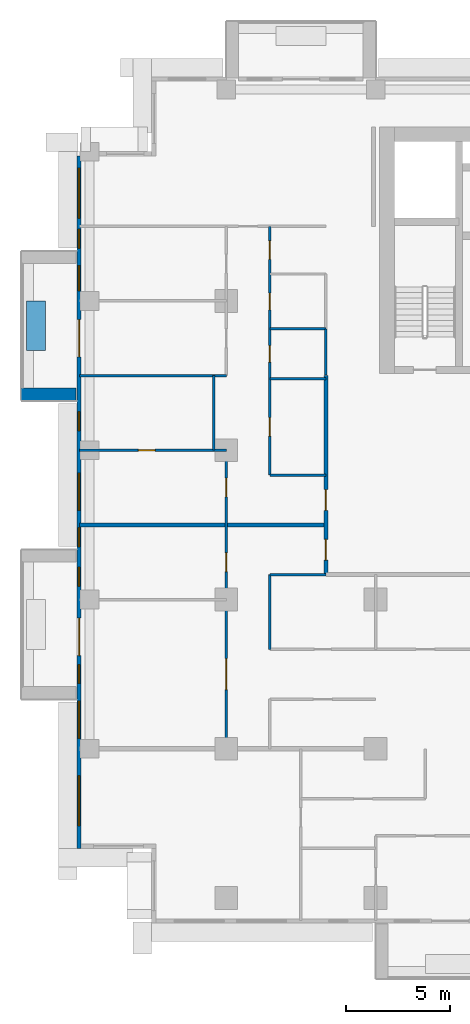
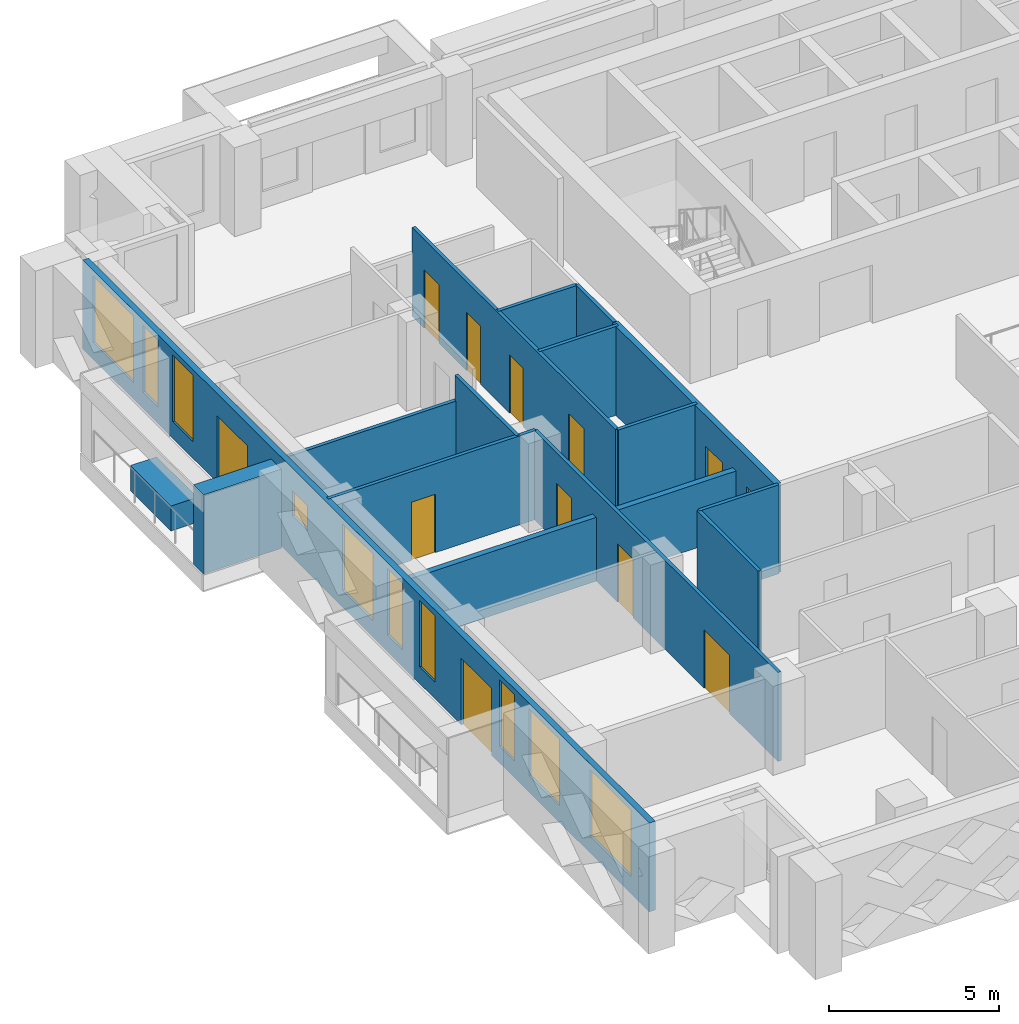
# One storey, part 7 of 20: 16 walls, 12 doors, 10 windows, 22 openings.
"""IFC4 building model written with IfcOpenShell, lengths in metres."""

from ifc_helpers import new_model, si_unit, direction, frame, frame_2d, origin, place, context, subcontext, project, spatial, rectangle, extrude, material, layer, layer_set, type_object, element, fill, save


model = new_model("IFC4")

# Units and contexts
model_context = context("Model", 3, precision=1e-05, world=origin(), true_north=direction((0.0, 1.0)))
body_context = subcontext(model_context, "Body", "Model", "MODEL_VIEW")
ifc_project = project(units=[si_unit("LENGTHUNIT", "METRE"), si_unit("AREAUNIT", "SQUARE_METRE"), si_unit("VOLUMEUNIT", "CUBIC_METRE"), si_unit("PLANEANGLEUNIT", "RADIAN"), si_unit("MASSUNIT", "GRAM", prefix="KILO")], contexts=[model_context])

# Site, building, storey
site_placement = place(None, origin())
site = spatial("IfcSite", under=ifc_project, at=site_placement, CompositionType="ELEMENT")
building_placement = place(site_placement, origin())
building = spatial("IfcBuilding", under=site, at=building_placement, Name="Saffron Iwan Residences", CompositionType="ELEMENT")
storey_placement = place(building_placement, frame((0.0, 0.0, 127.0)))
storey = spatial("IfcBuildingStorey", under=building, at=storey_placement, Name="L33", CompositionType="ELEMENT", Elevation=127.0)

# Walls
ifc_material_1 = material(Name="Concrete C50/60 white painted", Category="concrete")
ifc_layer_1 = layer(ifc_material_1, 0.60009765625)
ifc_layer_set_1 = layer_set([ifc_layer_1], Name="Concrete C50/60 white painted")
wall_type_1 = type_object("IfcWallType", Name="BALCONY FIN 600", PredefinedType="SOLIDWALL", material=ifc_layer_set_1)
wall_1_placement = place(storey_placement, frame((14.35009765625, 65.10009765625, 0.0), z_axis=(0.0, 0.0, 1.0), x_axis=(-1.0, 0.0, 0.0)))
element("IfcWall", 1, at=wall_1_placement, inside=storey, type_object=wall_type_1, Name="Balcony fin L33 F8-0b", PredefinedType="SOLIDWALL", context=body_context, shape_type="SweptSolid", body=[
    extrude(rectangle(XDim=2.650146484375, YDim=0.60009765625, at=frame_2d((1.3251953125, 0.0))), origin(), (0.0, 0.0, 1.0), 2.85009765625),
])
ifc_material_2 = material(Name="Concrete C35/45 white painted", Category="concrete")
ifc_layer_2 = layer(ifc_material_2, 0.14990234375)
ifc_layer_set_2 = layer_set([ifc_layer_2], Name="Concrete C35/45 white painted")
wall_type_2 = type_object("IfcWallType", Name="BALCONY PLANTER", PredefinedType="SOLIDWALL", material=ifc_layer_set_2)
wall_2_placement = place(storey_placement, frame((12.425048828125, 69.60009765625, 0.0), z_axis=(0.0, 0.0, 1.0), x_axis=(0.0, -1.0, 0.0)))
element("IfcWall", 2, at=wall_2_placement, inside=storey, type_object=wall_type_2, Name="PLANTER L33 F8-0", PredefinedType="SOLIDWALL", context=body_context, shape_type="SweptSolid", body=[
    extrude(rectangle(XDim=2.400146484375, YDim=0.89990234375, at=frame_2d((1.2001953125, 0.0))), origin(), (0.0, 0.0, 1.0), 0.89990234375),
])

# Wall, openings, doors, windows
ifc_material_3 = material(Name="Concrete C40/50", Category="concrete")
ifc_layer_3 = layer(ifc_material_3, 0.199951171875)
ifc_layer_set_3 = layer_set([ifc_layer_3], Name="Concrete C40/50")
wall_type_3 = type_object("IfcWallType", Name="EXTERNAL WALL 200", PredefinedType="SOLIDWALL", material=ifc_layer_set_3)
wall_3_placement = place(storey_placement, frame((14.5, 76.60009765625, 0.0), z_axis=(0.0, 0.0, 1.0), x_axis=(0.0, -1.0, 0.0)))
wall_3 = element("IfcWall", 3, at=wall_3_placement, inside=storey, type_object=wall_type_3, Name="External wall L33 F8.0", PredefinedType="SOLIDWALL", context=body_context, shape_type="SweptSolid", body=[
    extrude(rectangle(XDim=33.400146484375, YDim=0.199951171875, at=frame_2d((16.7001953125, 0.0))), origin(), (0.0, 0.0, 1.0), 3.199951171875),
])
opening_1_placement = place(wall_3_placement, frame((7.89990234375, 0.0, 0.0)))
opening_1 = element("IfcOpeningElement", 4, at=opening_1_placement, cuts=wall_3, Name="Opening BD1", PredefinedType="OPENING", context=body_context, shape_type="SweptSolid", body=[
    extrude(rectangle(XDim=1.800048828125, YDim=2.39990234375, at=frame_2d((0.89990234375, 1.199951171875))), frame((0.0, 0.10986328125, 0.0), z_axis=(0.0, -1.0, 0.0), x_axis=(1.0, 0.0, 0.0)), (0.0, 0.0, 1.0), 0.219970703125),
])
opening_2_placement = place(wall_3_placement, frame((22.300048828125, 0.0, 0.0)))
opening_2 = element("IfcOpeningElement", 5, at=opening_2_placement, cuts=wall_3, Name="Opening BD1", PredefinedType="OPENING", context=body_context, shape_type="SweptSolid", body=[
    extrude(rectangle(XDim=1.800048828125, YDim=2.39990234375, at=frame_2d((0.89990234375, 1.199951171875))), frame((0.0, 0.10986328125, 0.0), z_axis=(0.0, -1.0, 0.0), x_axis=(1.0, 0.0, 0.0)), (0.0, 0.0, 1.0), 0.219970703125),
])
opening_3_placement = place(wall_3_placement, frame((29.89990234375, 0.0, 0.60009765625)))
opening_3 = element("IfcOpeningElement", 6, at=opening_3_placement, cuts=wall_3, Name="Opening W1", PredefinedType="OPENING", context=body_context, shape_type="SweptSolid", body=[
    extrude(rectangle(XDim=2.39990234375, YDim=2.39990234375, at=frame_2d((1.199951171875, 1.199951171875))), frame((0.0, 0.10986328125, 0.0), z_axis=(0.0, -1.0, 0.0), x_axis=(1.0, 0.0, 0.0)), (0.0, 0.0, 1.0), 0.219970703125),
])
opening_4_placement = place(wall_3_placement, frame((24.550048828125, 0.0, 0.60009765625)))
opening_4 = element("IfcOpeningElement", 7, at=opening_4_placement, cuts=wall_3, Name="Opening W10", PredefinedType="OPENING", context=body_context, shape_type="SweptSolid", body=[
    extrude(rectangle(XDim=0.89990234375, YDim=2.39990234375, at=frame_2d((0.449951171875, 1.199951171875))), frame((0.0, 0.10986328125, 0.0), z_axis=(0.0, -1.0, 0.0), x_axis=(1.0, 0.0, 0.0)), (0.0, 0.0, 1.0), 0.219970703125),
])
opening_5_placement = place(wall_3_placement, frame((26.300048828125, 0.0, 0.60009765625)))
opening_5 = element("IfcOpeningElement", 8, at=opening_5_placement, cuts=wall_3, Name="Opening W8", PredefinedType="OPENING", context=body_context, shape_type="SweptSolid", body=[
    extrude(rectangle(XDim=1.800048828125, YDim=2.39990234375, at=frame_2d((0.89990234375, 1.199951171875))), frame((0.0, 0.10986328125, 0.0), z_axis=(0.0, -1.0, 0.0), x_axis=(1.0, 0.0, 0.0)), (0.0, 0.0, 1.0), 0.219970703125),
])
opening_6_placement = place(wall_3_placement, frame((17.949951171875, 0.0, 0.60009765625)))
opening_6 = element("IfcOpeningElement", 9, at=opening_6_placement, cuts=wall_3, Name="Opening W10", PredefinedType="OPENING", context=body_context, shape_type="SweptSolid", body=[
    extrude(rectangle(XDim=0.89990234375, YDim=2.39990234375, at=frame_2d((0.449951171875, 1.199951171875))), frame((0.0, 0.10986328125, 0.0), z_axis=(0.0, -1.0, 0.0), x_axis=(1.0, 0.0, 0.0)), (0.0, 0.0, 1.0), 0.219970703125),
])
opening_7_placement = place(wall_3_placement, frame((19.85009765625, 0.0, 0.60009765625)))
opening_7 = element("IfcOpeningElement", 10, at=opening_7_placement, cuts=wall_3, Name="Opening W10", PredefinedType="OPENING", context=body_context, shape_type="SweptSolid", body=[
    extrude(rectangle(XDim=0.89990234375, YDim=2.39990234375, at=frame_2d((0.449951171875, 1.199951171875))), frame((0.0, 0.10986328125, 0.0), z_axis=(0.0, -1.0, 0.0), x_axis=(1.0, 0.0, 0.0)), (0.0, 0.0, 1.0), 0.219970703125),
])
opening_8_placement = place(wall_3_placement, frame((15.300048828125, 0.0, 0.60009765625)))
opening_8 = element("IfcOpeningElement", 11, at=opening_8_placement, cuts=wall_3, Name="Opening W8", PredefinedType="OPENING", context=body_context, shape_type="SweptSolid", body=[
    extrude(rectangle(XDim=1.800048828125, YDim=2.39990234375, at=frame_2d((0.89990234375, 1.199951171875))), frame((0.0, 0.10986328125, 0.0), z_axis=(0.0, -1.0, 0.0), x_axis=(1.0, 0.0, 0.0)), (0.0, 0.0, 1.0), 0.219970703125),
])
opening_9_placement = place(wall_3_placement, frame((12.35009765625, 0.0, 1.5)))
opening_9 = element("IfcOpeningElement", 12, at=opening_9_placement, cuts=wall_3, Name="Opening W6", PredefinedType="OPENING", context=body_context, shape_type="SweptSolid", body=[
    extrude(rectangle(XDim=0.89990234375, YDim=0.89990234375, at=frame_2d((0.449951171875, 0.449951171875))), frame((0.0, 0.10986328125, 0.0), z_axis=(0.0, -1.0, 0.0), x_axis=(1.0, 0.0, 0.0)), (0.0, 0.0, 1.0), 0.219970703125),
])
opening_10_placement = place(wall_3_placement, frame((3.550048828125, 0.0, 0.60009765625)))
opening_10 = element("IfcOpeningElement", 13, at=opening_10_placement, cuts=wall_3, Name="Opening W10", PredefinedType="OPENING", context=body_context, shape_type="SweptSolid", body=[
    extrude(rectangle(XDim=0.89990234375, YDim=2.39990234375, at=frame_2d((0.449951171875, 1.199951171875))), frame((0.0, 0.10986328125, 0.0), z_axis=(0.0, -1.0, 0.0), x_axis=(1.0, 0.0, 0.0)), (0.0, 0.0, 1.0), 0.219970703125),
])
opening_11_placement = place(wall_3_placement, frame((5.300048828125, 0.0, 0.60009765625)))
opening_11 = element("IfcOpeningElement", 14, at=opening_11_placement, cuts=wall_3, Name="Opening W3", PredefinedType="OPENING", context=body_context, shape_type="SweptSolid", body=[
    extrude(rectangle(XDim=1.199951171875, YDim=2.39990234375, at=frame_2d((0.60009765625, 1.199951171875))), frame((0.0, 0.10986328125, 0.0), z_axis=(0.0, -1.0, 0.0), x_axis=(1.0, 0.0, 0.0)), (0.0, 0.0, 1.0), 0.219970703125),
])
opening_12_placement = place(wall_3_placement, frame((0.60009765625, 0.0, 0.60009765625)))
opening_12 = element("IfcOpeningElement", 15, at=opening_12_placement, cuts=wall_3, Name="Opening W1", PredefinedType="OPENING", context=body_context, shape_type="SweptSolid", body=[
    extrude(rectangle(XDim=2.39990234375, YDim=2.39990234375, at=frame_2d((1.199951171875, 1.199951171875))), frame((0.0, 0.10986328125, 0.0), z_axis=(0.0, -1.0, 0.0), x_axis=(1.0, 0.0, 0.0)), (0.0, 0.0, 1.0), 0.219970703125),
])
ifc_material_4 = material(Name="Clear glass, laminated double glazed", Category="glass")
door_type_1 = type_object("IfcDoorType", Name="BALCONY DOOR 1800 x 2400", OperationType="DOUBLE_DOOR_SLIDING", PredefinedType="DOOR", material=ifc_material_4)
door_1_placement = place(opening_1_placement, origin())
door_1 = element("IfcDoor", 16, at=door_1_placement, inside=storey, type_object=door_type_1, Name="Balcony door L33 F8.0", OperationType="DOUBLE_DOOR_SLIDING", OverallHeight=2.39990234375, OverallWidth=1.800048828125, PredefinedType="DOOR", context=body_context, shape_type="SweptSolid", body=[
    extrude(rectangle(XDim=1.800048828125, YDim=2.39990234375, at=frame_2d((0.89990234375, 1.199951171875))), frame((0.0, 0.02490234375, 0.0), z_axis=(0.0, -1.0, 0.0), x_axis=(1.0, 0.0, 0.0)), (0.0, 0.0, 1.0), 0.050048828125),
])
fill(opening_1, door_1)
door_2_placement = place(opening_2_placement, origin())
door_2 = element("IfcDoor", 17, at=door_2_placement, inside=storey, type_object=door_type_1, Name="Balcony door L33 F8.1", OperationType="DOUBLE_DOOR_SLIDING", OverallHeight=2.39990234375, OverallWidth=1.800048828125, PredefinedType="DOOR", context=body_context, shape_type="SweptSolid", body=[
    extrude(rectangle(XDim=1.800048828125, YDim=2.39990234375, at=frame_2d((0.89990234375, 1.199951171875))), frame((0.0, 0.02490234375, 0.0), z_axis=(0.0, -1.0, 0.0), x_axis=(1.0, 0.0, 0.0)), (0.0, 0.0, 1.0), 0.050048828125),
])
fill(opening_2, door_2)
window_type_1 = type_object("IfcWindowType", Name="WINDOW 1200 x 2400", PartitioningType="SINGLE_PANEL", PredefinedType="WINDOW", material=ifc_material_4)
window_1_placement = place(opening_11_placement, origin())
window_1 = element("IfcWindow", 18, at=window_1_placement, inside=storey, type_object=window_type_1, Name="Window L33 F8.10", OverallHeight=2.39990234375, OverallWidth=1.199951171875, PartitioningType="SINGLE_PANEL", PredefinedType="WINDOW", context=body_context, shape_type="SweptSolid", body=[
    extrude(rectangle(XDim=1.199951171875, YDim=2.39990234375, at=frame_2d((0.60009765625, 1.199951171875))), frame((0.0, 0.030029296875, 0.0), z_axis=(0.0, -1.0, 0.0), x_axis=(1.0, 0.0, 0.0)), (0.0, 0.0, 1.0), 0.06005859375),
])
fill(opening_11, window_1)
window_type_2 = type_object("IfcWindowType", Name="WINDOW 1800 x 2400", PartitioningType="DOUBLE_PANEL_VERTICAL", PredefinedType="WINDOW", material=ifc_material_4)
window_2_placement = place(opening_5_placement, origin())
window_2 = element("IfcWindow", 19, at=window_2_placement, inside=storey, type_object=window_type_2, Name="Window L33 F8.4", OverallHeight=2.39990234375, OverallWidth=1.800048828125, PartitioningType="DOUBLE_PANEL_VERTICAL", PredefinedType="WINDOW", context=body_context, shape_type="SweptSolid", body=[
    extrude(rectangle(XDim=1.800048828125, YDim=2.39990234375, at=frame_2d((0.89990234375, 1.199951171875))), frame((0.0, 0.030029296875, 0.0), z_axis=(0.0, -1.0, 0.0), x_axis=(1.0, 0.0, 0.0)), (0.0, 0.0, 1.0), 0.06005859375),
])
fill(opening_5, window_2)
window_3_placement = place(opening_8_placement, origin())
window_3 = element("IfcWindow", 20, at=window_3_placement, inside=storey, type_object=window_type_2, Name="Window L33 F8.7", OverallHeight=2.39990234375, OverallWidth=1.800048828125, PartitioningType="DOUBLE_PANEL_VERTICAL", PredefinedType="WINDOW", context=body_context, shape_type="SweptSolid", body=[
    extrude(rectangle(XDim=1.800048828125, YDim=2.39990234375, at=frame_2d((0.89990234375, 1.199951171875))), frame((0.0, 0.030029296875, 0.0), z_axis=(0.0, -1.0, 0.0), x_axis=(1.0, 0.0, 0.0)), (0.0, 0.0, 1.0), 0.06005859375),
])
fill(opening_8, window_3)
window_type_3 = type_object("IfcWindowType", Name="WINDOW 2400 x 2400", PartitioningType="DOUBLE_PANEL_VERTICAL", PredefinedType="WINDOW", material=ifc_material_4)
window_4_placement = place(opening_3_placement, origin())
window_4 = element("IfcWindow", 21, at=window_4_placement, inside=storey, type_object=window_type_3, Name="Window L33 F8.2", OverallHeight=2.39990234375, OverallWidth=2.39990234375, PartitioningType="DOUBLE_PANEL_VERTICAL", PredefinedType="WINDOW", context=body_context, shape_type="SweptSolid", body=[
    extrude(rectangle(XDim=2.39990234375, YDim=2.39990234375, at=frame_2d((1.199951171875, 1.199951171875))), frame((0.0, 0.030029296875, 0.0), z_axis=(0.0, -1.0, 0.0), x_axis=(1.0, 0.0, 0.0)), (0.0, 0.0, 1.0), 0.06005859375),
])
fill(opening_3, window_4)
window_5_placement = place(opening_12_placement, origin())
window_5 = element("IfcWindow", 22, at=window_5_placement, inside=storey, type_object=window_type_3, Name="Window L33 F8.11", OverallHeight=2.39990234375, OverallWidth=2.39990234375, PartitioningType="DOUBLE_PANEL_VERTICAL", PredefinedType="WINDOW", context=body_context, shape_type="SweptSolid", body=[
    extrude(rectangle(XDim=2.39990234375, YDim=2.39990234375, at=frame_2d((1.199951171875, 1.199951171875))), frame((0.0, 0.030029296875, 0.0), z_axis=(0.0, -1.0, 0.0), x_axis=(1.0, 0.0, 0.0)), (0.0, 0.0, 1.0), 0.06005859375),
])
fill(opening_12, window_5)
window_type_4 = type_object("IfcWindowType", Name="WINDOW 900 x 2400", PartitioningType="SINGLE_PANEL", PredefinedType="WINDOW", material=ifc_material_4)
window_6_placement = place(opening_4_placement, origin())
window_6 = element("IfcWindow", 23, at=window_6_placement, inside=storey, type_object=window_type_4, Name="Window L33 F8.3", OverallHeight=2.39990234375, OverallWidth=0.89990234375, PartitioningType="SINGLE_PANEL", PredefinedType="WINDOW", context=body_context, shape_type="SweptSolid", body=[
    extrude(rectangle(XDim=0.89990234375, YDim=2.39990234375, at=frame_2d((0.449951171875, 1.199951171875))), frame((0.0, 0.030029296875, 0.0), z_axis=(0.0, -1.0, 0.0), x_axis=(1.0, 0.0, 0.0)), (0.0, 0.0, 1.0), 0.06005859375),
])
fill(opening_4, window_6)
window_7_placement = place(opening_6_placement, origin())
window_7 = element("IfcWindow", 24, at=window_7_placement, inside=storey, type_object=window_type_4, Name="Window L33 F8.5", OverallHeight=2.39990234375, OverallWidth=0.89990234375, PartitioningType="SINGLE_PANEL", PredefinedType="WINDOW", context=body_context, shape_type="SweptSolid", body=[
    extrude(rectangle(XDim=0.89990234375, YDim=2.39990234375, at=frame_2d((0.449951171875, 1.199951171875))), frame((0.0, 0.030029296875, 0.0), z_axis=(0.0, -1.0, 0.0), x_axis=(1.0, 0.0, 0.0)), (0.0, 0.0, 1.0), 0.06005859375),
])
fill(opening_6, window_7)
window_8_placement = place(opening_7_placement, origin())
window_8 = element("IfcWindow", 25, at=window_8_placement, inside=storey, type_object=window_type_4, Name="Window L33 F8.6", OverallHeight=2.39990234375, OverallWidth=0.89990234375, PartitioningType="SINGLE_PANEL", PredefinedType="WINDOW", context=body_context, shape_type="SweptSolid", body=[
    extrude(rectangle(XDim=0.89990234375, YDim=2.39990234375, at=frame_2d((0.449951171875, 1.199951171875))), frame((0.0, 0.030029296875, 0.0), z_axis=(0.0, -1.0, 0.0), x_axis=(1.0, 0.0, 0.0)), (0.0, 0.0, 1.0), 0.06005859375),
])
fill(opening_7, window_8)
window_9_placement = place(opening_10_placement, origin())
window_9 = element("IfcWindow", 26, at=window_9_placement, inside=storey, type_object=window_type_4, Name="Window L33 F8.9", OverallHeight=2.39990234375, OverallWidth=0.89990234375, PartitioningType="SINGLE_PANEL", PredefinedType="WINDOW", context=body_context, shape_type="SweptSolid", body=[
    extrude(rectangle(XDim=0.89990234375, YDim=2.39990234375, at=frame_2d((0.449951171875, 1.199951171875))), frame((0.0, 0.030029296875, 0.0), z_axis=(0.0, -1.0, 0.0), x_axis=(1.0, 0.0, 0.0)), (0.0, 0.0, 1.0), 0.06005859375),
])
fill(opening_10, window_9)
window_type_5 = type_object("IfcWindowType", Name="WINDOW 900 x 900 BATH", PartitioningType="SINGLE_PANEL", PredefinedType="WINDOW", material=ifc_material_4)
window_10_placement = place(opening_9_placement, origin())
window_10 = element("IfcWindow", 27, at=window_10_placement, inside=storey, type_object=window_type_5, Name="Window L33 F8.8", OverallHeight=0.89990234375, OverallWidth=0.89990234375, PartitioningType="SINGLE_PANEL", PredefinedType="WINDOW", context=body_context, shape_type="SweptSolid", body=[
    extrude(rectangle(XDim=0.89990234375, YDim=0.89990234375, at=frame_2d((0.449951171875, 0.449951171875))), frame((0.0, 0.030029296875, 0.0), z_axis=(0.0, -1.0, 0.0), x_axis=(1.0, 0.0, 0.0)), (0.0, 0.0, 1.0), 0.06005859375),
])
fill(opening_9, window_10)

# Walls
ifc_material_5 = material(Name="Fire-rated gypsum board wall")
ifc_layer_4 = layer(ifc_material_5, 0.199951171875)
ifc_layer_set_4 = layer_set([ifc_layer_4], Name="Fire-rated gypsum board wall")
wall_type_4 = type_object("IfcWallType", Name="Flat demising wall 200", PredefinedType="SOLIDWALL", material=ifc_layer_set_4)
wall_4_placement = place(storey_placement, frame((14.52490234375, 58.800048828125, 0.0), z_axis=(0.0, 0.0, 1.0), x_axis=(1.0, 0.0, 0.0)))
element("IfcWall", 28, at=wall_4_placement, inside=storey, type_object=wall_type_4, Name="W-L33-DEMISE-h58.8-14.525", PredefinedType="SOLIDWALL", context=body_context, shape_type="SweptSolid", body=[
    extrude(rectangle(XDim=11.875, YDim=0.199951171875, at=frame_2d((5.9375, 0.0))), origin(), (0.0, 0.0, 1.0), 2.300048828125),
])
ifc_material_6 = material(Name="Gypsum board partition")
ifc_layer_5 = layer(ifc_material_6, 0.1201171875)
ifc_layer_set_5 = layer_set([ifc_layer_5], Name="Gypsum board partition")
wall_type_5 = type_object("IfcWallType", Name="Flat partition 120", PredefinedType="PARTITIONING", material=ifc_layer_set_5)
for number, where, z_axis, x_axis, name in (
    (29, (23.699951171875, 56.39990234375, 0.0), (0.0, 0.0, 1.0), (1.0, 0.0, 0.0), "W-L33-PART-h56.4-23.7"),
    (30, (23.699951171875, 61.199951171875, 0.0), (0.0, 0.0, 1.0), (1.0, 0.0, 0.0), "W-L33-PART-h61.2-23.7"),
):
    element("IfcWall", number, at=place(storey_placement, frame(where, z_axis=z_axis, x_axis=x_axis)), inside=storey, type_object=wall_type_5, Name=name, PredefinedType="PARTITIONING", context=body_context, shape_type="SweptSolid", body=[
        extrude(rectangle(XDim=2.699951171875, YDim=0.1201171875, at=frame_2d((1.35009765625, 0.0))), origin(), (0.0, 0.0, 1.0), 3.199951171875),
    ])

# Wall, opening, door
wall_5_placement = place(storey_placement, frame((14.52490234375, 62.39990234375, 0.0), z_axis=(0.0, 0.0, 1.0), x_axis=(1.0, 0.0, 0.0)))
wall_5 = element("IfcWall", 31, at=wall_5_placement, inside=storey, type_object=wall_type_5, Name="W-L33-PART-h62.4-14.525", PredefinedType="PARTITIONING", context=body_context, shape_type="SweptSolid", body=[
    extrude(rectangle(XDim=7.0751953125, YDim=0.1201171875, at=frame_2d((3.53759765625, 0.0))), origin(), (0.0, 0.0, 1.0), 3.199951171875),
])
opening_13_placement = place(wall_5_placement, frame((2.83740234375, 0.0, 0.0)))
opening_13 = element("IfcOpeningElement", 32, at=opening_13_placement, cuts=wall_5, Name="Opening FD3", PredefinedType="OPENING", context=body_context, shape_type="SweptSolid", body=[
    extrude(rectangle(XDim=0.800048828125, YDim=2.10009765625, at=frame_2d((0.39990234375, 1.050048828125))), frame((0.0, 0.070068359375, 0.0), z_axis=(0.0, -1.0, 0.0), x_axis=(1.0, 0.0, 0.0)), (0.0, 0.0, 1.0), 0.14013671875),
])
ifc_material_7 = material(Name="Timber door", Category="wood")
door_type_2 = type_object("IfcDoorType", Name="Bathroom door 800", OperationType="NOTDEFINED", PredefinedType="DOOR", material=ifc_material_7)
door_3_placement = place(opening_13_placement, origin())
door_3 = element("IfcDoor", 33, at=door_3_placement, inside=storey, type_object=door_type_2, Name="Door L33-021", OperationType="SINGLE_SWING_LEFT", OverallHeight=2.10009765625, OverallWidth=0.800048828125, PredefinedType="DOOR", context=body_context, shape_type="SweptSolid", body=[
    extrude(rectangle(XDim=0.800048828125, YDim=2.10009765625, at=frame_2d((0.39990234375, 1.050048828125))), frame((0.0, 0.02490234375, 0.0), z_axis=(0.0, -1.0, 0.0), x_axis=(1.0, 0.0, 0.0)), (0.0, 0.0, 1.0), 0.050048828125),
])
fill(opening_13, door_3)

# Walls
wall_6_placement = place(storey_placement, frame((23.699951171875, 65.85009765625, 0.0), z_axis=(0.0, 0.0, 1.0), x_axis=(1.0, 0.0, 0.0)))
element("IfcWall", 34, at=wall_6_placement, inside=storey, type_object=wall_type_5, Name="W-L33-PART-h65.85-23.7", PredefinedType="PARTITIONING", context=body_context, shape_type="SweptSolid", body=[
    extrude(rectangle(XDim=2.699951171875, YDim=0.1201171875, at=frame_2d((1.35009765625, 0.0))), origin(), (0.0, 0.0, 1.0), 3.199951171875),
])
wall_7_placement = place(storey_placement, frame((14.52490234375, 66.0, 0.0), z_axis=(0.0, 0.0, 1.0), x_axis=(1.0, 0.0, 0.0)))
element("IfcWall", 35, at=wall_7_placement, inside=storey, type_object=wall_type_5, Name="W-L33-PART-h66-14.525", PredefinedType="PARTITIONING", context=body_context, shape_type="SweptSolid", body=[
    extrude(rectangle(XDim=7.0751953125, YDim=0.1201171875, at=frame_2d((3.53759765625, 0.0))), origin(), (0.0, 0.0, 1.0), 2.300048828125),
])
wall_8_placement = place(storey_placement, frame((23.699951171875, 68.25, 0.0), z_axis=(0.0, 0.0, 1.0), x_axis=(1.0, 0.0, 0.0)))
element("IfcWall", 36, at=wall_8_placement, inside=storey, type_object=wall_type_5, Name="W-L33-PART-h68.25-23.7", PredefinedType="PARTITIONING", context=body_context, shape_type="SweptSolid", body=[
    extrude(rectangle(XDim=2.699951171875, YDim=0.1201171875, at=frame_2d((1.35009765625, 0.0))), origin(), (0.0, 0.0, 1.0), 3.199951171875),
])
wall_9_placement = place(storey_placement, frame((21.0, 62.39990234375, 0.0), z_axis=(0.0, 0.0, 1.0), x_axis=(0.0, 1.0, 0.0)))
element("IfcWall", 37, at=wall_9_placement, inside=storey, type_object=wall_type_5, Name="W-L33-PART-v21-62.4", PredefinedType="PARTITIONING", context=body_context, shape_type="SweptSolid", body=[
    extrude(rectangle(XDim=3.60009765625, YDim=0.1201171875, at=frame_2d((1.800048828125, 0.0))), origin(), (0.0, 0.0, 1.0), 3.199951171875),
])

# Wall, openings, doors
wall_10_placement = place(storey_placement, frame((21.60009765625, 48.0, 0.0), z_axis=(0.0, 0.0, 1.0), x_axis=(0.0, 1.0, 0.0)))
wall_10 = element("IfcWall", 38, at=wall_10_placement, inside=storey, type_object=wall_type_5, Name="W-L33-PART-v21.6-48", PredefinedType="PARTITIONING", context=body_context, shape_type="SweptSolid", body=[
    extrude(rectangle(XDim=14.39990234375, YDim=0.1201171875, at=frame_2d((7.199951171875, 0.0))), origin(), (0.0, 0.0, 1.0), 3.199951171875),
])
opening_14_placement = place(wall_10_placement, frame((2.85009765625, 0.0, 0.0)))
opening_14 = element("IfcOpeningElement", 39, at=opening_14_placement, cuts=wall_10, Name="Opening FD4", PredefinedType="OPENING", context=body_context, shape_type="SweptSolid", body=[
    extrude(rectangle(XDim=1.5, YDim=2.10009765625, at=frame_2d((0.75, 1.050048828125))), frame((0.0, 0.070068359375, 0.0), z_axis=(0.0, -1.0, 0.0), x_axis=(1.0, 0.0, 0.0)), (0.0, 0.0, 1.0), 0.14013671875),
])
opening_15_placement = place(wall_10_placement, frame((8.550048828125, 0.0, 0.0)))
opening_15 = element("IfcOpeningElement", 40, at=opening_15_placement, cuts=wall_10, Name="Opening FD2", PredefinedType="OPENING", context=body_context, shape_type="SweptSolid", body=[
    extrude(rectangle(XDim=0.89990234375, YDim=2.10009765625, at=frame_2d((0.449951171875, 1.050048828125))), frame((0.0, 0.070068359375, 0.0), z_axis=(0.0, -1.0, 0.0), x_axis=(1.0, 0.0, 0.0)), (0.0, 0.0, 1.0), 0.14013671875),
])
opening_16_placement = place(wall_10_placement, frame((12.14990234375, 0.0, 0.0)))
opening_16 = element("IfcOpeningElement", 41, at=opening_16_placement, cuts=wall_10, Name="Opening FD2", PredefinedType="OPENING", context=body_context, shape_type="SweptSolid", body=[
    extrude(rectangle(XDim=0.89990234375, YDim=2.10009765625, at=frame_2d((0.449951171875, 1.050048828125))), frame((0.0, 0.070068359375, 0.0), z_axis=(0.0, -1.0, 0.0), x_axis=(1.0, 0.0, 0.0)), (0.0, 0.0, 1.0), 0.14013671875),
])
door_type_3 = type_object("IfcDoorType", Name="Double door 1500", OperationType="NOTDEFINED", PredefinedType="DOOR", material=ifc_material_7)
door_4_placement = place(opening_14_placement, origin())
door_4 = element("IfcDoor", 42, at=door_4_placement, inside=storey, type_object=door_type_3, Name="Door L33-008", OperationType="SINGLE_SWING_LEFT", OverallHeight=2.10009765625, OverallWidth=1.5, PredefinedType="DOOR", context=body_context, shape_type="SweptSolid", body=[
    extrude(rectangle(XDim=1.5, YDim=2.10009765625, at=frame_2d((0.75, 1.050048828125))), frame((0.0, 0.02490234375, 0.0), z_axis=(0.0, -1.0, 0.0), x_axis=(1.0, 0.0, 0.0)), (0.0, 0.0, 1.0), 0.050048828125),
])
fill(opening_14, door_4)
door_type_4 = type_object("IfcDoorType", Name="Flat door 900", OperationType="NOTDEFINED", PredefinedType="DOOR", material=ifc_material_7)
door_5_placement = place(opening_15_placement, origin())
door_5 = element("IfcDoor", 43, at=door_5_placement, inside=storey, type_object=door_type_4, Name="Door L33-009", OperationType="SINGLE_SWING_LEFT", OverallHeight=2.10009765625, OverallWidth=0.89990234375, PredefinedType="DOOR", context=body_context, shape_type="SweptSolid", body=[
    extrude(rectangle(XDim=0.89990234375, YDim=2.10009765625, at=frame_2d((0.449951171875, 1.050048828125))), frame((0.0, 0.02490234375, 0.0), z_axis=(0.0, -1.0, 0.0), x_axis=(1.0, 0.0, 0.0)), (0.0, 0.0, 1.0), 0.050048828125),
])
fill(opening_15, door_5)
door_6_placement = place(opening_16_placement, origin())
door_6 = element("IfcDoor", 44, at=door_6_placement, inside=storey, type_object=door_type_4, Name="Door L33-020", OperationType="SINGLE_SWING_LEFT", OverallHeight=2.10009765625, OverallWidth=0.89990234375, PredefinedType="DOOR", context=body_context, shape_type="SweptSolid", body=[
    extrude(rectangle(XDim=0.89990234375, YDim=2.10009765625, at=frame_2d((0.449951171875, 1.050048828125))), frame((0.0, 0.02490234375, 0.0), z_axis=(0.0, -1.0, 0.0), x_axis=(1.0, 0.0, 0.0)), (0.0, 0.0, 1.0), 0.050048828125),
])
fill(opening_16, door_6)

# Wall
wall_11_placement = place(storey_placement, frame((23.699951171875, 52.800048828125, 0.0), z_axis=(0.0, 0.0, 1.0), x_axis=(0.0, 1.0, 0.0)))
element("IfcWall", 45, at=wall_11_placement, inside=storey, type_object=wall_type_5, Name="W-L33-PART-v23.7-52.8", PredefinedType="PARTITIONING", context=body_context, shape_type="SweptSolid", body=[
    extrude(rectangle(XDim=3.599853515625, YDim=0.1201171875, at=frame_2d((1.7998046875, 0.0))), origin(), (0.0, 0.0, 1.0), 3.199951171875),
])

# Wall, openings, doors
wall_12_placement = place(storey_placement, frame((23.699951171875, 61.199951171875, 0.0), z_axis=(0.0, 0.0, 1.0), x_axis=(0.0, 1.0, 0.0)))
wall_12 = element("IfcWall", 46, at=wall_12_placement, inside=storey, type_object=wall_type_5, Name="W-L33-PART-v23.7-61.2", PredefinedType="PARTITIONING", context=body_context, shape_type="SweptSolid", body=[
    extrude(rectangle(XDim=12.0, YDim=0.1201171875, at=frame_2d((6.0, 0.0))), origin(), (0.0, 0.0, 1.0), 3.199951171875),
])
opening_17_placement = place(wall_12_placement, frame((1.875, 0.0, 0.0)))
opening_17 = element("IfcOpeningElement", 47, at=opening_17_placement, cuts=wall_12, Name="Opening FD2", PredefinedType="OPENING", context=body_context, shape_type="SweptSolid", body=[
    extrude(rectangle(XDim=0.89990234375, YDim=2.10009765625, at=frame_2d((0.449951171875, 1.050048828125))), frame((0.0, 0.070068359375, 0.0), z_axis=(0.0, -1.0, 0.0), x_axis=(1.0, 0.0, 0.0)), (0.0, 0.0, 1.0), 0.14013671875),
])
opening_18_placement = place(wall_12_placement, frame((5.449951171875, 0.0, 0.0)))
opening_18 = element("IfcOpeningElement", 48, at=opening_18_placement, cuts=wall_12, Name="Opening FD3", PredefinedType="OPENING", context=body_context, shape_type="SweptSolid", body=[
    extrude(rectangle(XDim=0.800048828125, YDim=2.10009765625, at=frame_2d((0.39990234375, 1.050048828125))), frame((0.0, 0.070068359375, 0.0), z_axis=(0.0, -1.0, 0.0), x_axis=(1.0, 0.0, 0.0)), (0.0, 0.0, 1.0), 0.14013671875),
])
opening_19_placement = place(wall_12_placement, frame((7.97509765625, 0.0, 0.0)))
opening_19 = element("IfcOpeningElement", 49, at=opening_19_placement, cuts=wall_12, Name="Opening FD3", PredefinedType="OPENING", context=body_context, shape_type="SweptSolid", body=[
    extrude(rectangle(XDim=0.800048828125, YDim=2.10009765625, at=frame_2d((0.39990234375, 1.050048828125))), frame((0.0, 0.070068359375, 0.0), z_axis=(0.0, -1.0, 0.0), x_axis=(1.0, 0.0, 0.0)), (0.0, 0.0, 1.0), 0.14013671875),
])
opening_20_placement = place(wall_12_placement, frame((10.39990234375, 0.0, 0.0)))
opening_20 = element("IfcOpeningElement", 50, at=opening_20_placement, cuts=wall_12, Name="Opening FD2", PredefinedType="OPENING", context=body_context, shape_type="SweptSolid", body=[
    extrude(rectangle(XDim=0.89990234375, YDim=2.10009765625, at=frame_2d((0.449951171875, 1.050048828125))), frame((0.0, 0.070068359375, 0.0), z_axis=(0.0, -1.0, 0.0), x_axis=(1.0, 0.0, 0.0)), (0.0, 0.0, 1.0), 0.14013671875),
])
door_7_placement = place(opening_18_placement, origin())
door_7 = element("IfcDoor", 51, at=door_7_placement, inside=storey, type_object=door_type_2, Name="Door L33-026", OperationType="SINGLE_SWING_LEFT", OverallHeight=2.10009765625, OverallWidth=0.800048828125, PredefinedType="DOOR", context=body_context, shape_type="SweptSolid", body=[
    extrude(rectangle(XDim=0.800048828125, YDim=2.10009765625, at=frame_2d((0.39990234375, 1.050048828125))), frame((0.0, 0.02490234375, 0.0), z_axis=(0.0, -1.0, 0.0), x_axis=(1.0, 0.0, 0.0)), (0.0, 0.0, 1.0), 0.050048828125),
])
fill(opening_18, door_7)
door_8_placement = place(opening_19_placement, origin())
door_8 = element("IfcDoor", 52, at=door_8_placement, inside=storey, type_object=door_type_2, Name="Door L33-027", OperationType="SINGLE_SWING_LEFT", OverallHeight=2.10009765625, OverallWidth=0.800048828125, PredefinedType="DOOR", context=body_context, shape_type="SweptSolid", body=[
    extrude(rectangle(XDim=0.800048828125, YDim=2.10009765625, at=frame_2d((0.39990234375, 1.050048828125))), frame((0.0, 0.02490234375, 0.0), z_axis=(0.0, -1.0, 0.0), x_axis=(1.0, 0.0, 0.0)), (0.0, 0.0, 1.0), 0.050048828125),
])
fill(opening_19, door_8)
door_9_placement = place(opening_17_placement, origin())
door_9 = element("IfcDoor", 53, at=door_9_placement, inside=storey, type_object=door_type_4, Name="Door L33-025", OperationType="SINGLE_SWING_RIGHT", OverallHeight=2.10009765625, OverallWidth=0.89990234375, PredefinedType="DOOR", context=body_context, shape_type="SweptSolid", body=[
    extrude(rectangle(XDim=0.89990234375, YDim=2.10009765625, at=frame_2d((0.449951171875, 1.050048828125))), frame((0.0, 0.02490234375, 0.0), z_axis=(0.0, -1.0, 0.0), x_axis=(1.0, 0.0, 0.0)), (0.0, 0.0, 1.0), 0.050048828125),
])
fill(opening_17, door_9)
door_10_placement = place(opening_20_placement, origin())
door_10 = element("IfcDoor", 54, at=door_10_placement, inside=storey, type_object=door_type_4, Name="Door L33-028", OperationType="SINGLE_SWING_RIGHT", OverallHeight=2.10009765625, OverallWidth=0.89990234375, PredefinedType="DOOR", context=body_context, shape_type="SweptSolid", body=[
    extrude(rectangle(XDim=0.89990234375, YDim=2.10009765625, at=frame_2d((0.449951171875, 1.050048828125))), frame((0.0, 0.02490234375, 0.0), z_axis=(0.0, -1.0, 0.0), x_axis=(1.0, 0.0, 0.0)), (0.0, 0.0, 1.0), 0.050048828125),
])
fill(opening_20, door_10)

# Wall
wall_13_placement = place(storey_placement, frame((26.39990234375, 66.02001953125, 0.0), z_axis=(0.0, 0.0, 1.0), x_axis=(0.0, 1.0, 0.0)))
element("IfcWall", 55, at=wall_13_placement, inside=storey, type_object=wall_type_5, Name="W-L33-PART-v26.4-66.02", PredefinedType="PARTITIONING", context=body_context, shape_type="SweptSolid", body=[
    extrude(rectangle(XDim=2.22998046875, YDim=0.1201171875, at=frame_2d((1.114990234375, 0.0))), origin(), (0.0, 0.0, 1.0), 3.199951171875),
])

# Wall, openings, doors
ifc_layer_6 = layer(ifc_material_5, 0.199951171875)
ifc_layer_set_6 = layer_set([ifc_layer_6], Name="Fire-rated gypsum board wall")
wall_type_6 = type_object("IfcWallType", Name="Gallery wall 200", PredefinedType="SOLIDWALL", material=ifc_layer_set_6)
wall_14_placement = place(storey_placement, frame((26.39990234375, 56.39990234375, 0.0), z_axis=(0.0, 0.0, 1.0), x_axis=(0.0, 1.0, 0.0)))
wall_14 = element("IfcWall", 56, at=wall_14_placement, inside=storey, type_object=wall_type_6, Name="W-L33-CORR-v26.4-56.4", PredefinedType="SOLIDWALL", context=body_context, shape_type="SweptSolid", body=[
    extrude(rectangle(XDim=9.60009765625, YDim=0.199951171875, at=frame_2d((4.800048828125, 0.0))), origin(), (0.0, 0.0, 1.0), 3.199951171875),
])
opening_21_placement = place(wall_14_placement, frame((0.699951171875, 0.0, 0.0)))
opening_21 = element("IfcOpeningElement", 57, at=opening_21_placement, cuts=wall_14, Name="Opening FD1", PredefinedType="OPENING", context=body_context, shape_type="SweptSolid", body=[
    extrude(rectangle(XDim=1.0, YDim=2.10009765625, at=frame_2d((0.5, 1.050048828125))), frame((0.0, 0.10986328125, 0.0), z_axis=(0.0, -1.0, 0.0), x_axis=(1.0, 0.0, 0.0)), (0.0, 0.0, 1.0), 0.219970703125),
])
opening_22_placement = place(wall_14_placement, frame((3.10009765625, 0.0, 0.0)))
opening_22 = element("IfcOpeningElement", 58, at=opening_22_placement, cuts=wall_14, Name="Opening FD1", PredefinedType="OPENING", context=body_context, shape_type="SweptSolid", body=[
    extrude(rectangle(XDim=1.0, YDim=2.10009765625, at=frame_2d((0.5, 1.050048828125))), frame((0.0, 0.10986328125, 0.0), z_axis=(0.0, -1.0, 0.0), x_axis=(1.0, 0.0, 0.0)), (0.0, 0.0, 1.0), 0.219970703125),
])
ifc_material_8 = material(Name="Fire-rated timber door", Category="wood")
door_type_5 = type_object("IfcDoorType", Name="FD30S flat entrance door 1000", OperationType="NOTDEFINED", PredefinedType="DOOR", material=ifc_material_8)
door_11_placement = place(opening_21_placement, origin())
door_11 = element("IfcDoor", 59, at=door_11_placement, inside=storey, type_object=door_type_5, Name="Door L33-007", OperationType="SINGLE_SWING_RIGHT", OverallHeight=2.10009765625, OverallWidth=1.0, PredefinedType="DOOR", context=body_context, shape_type="SweptSolid", body=[
    extrude(rectangle(XDim=1.0, YDim=2.10009765625, at=frame_2d((0.5, 1.050048828125))), frame((0.0, 0.02490234375, 0.0), z_axis=(0.0, -1.0, 0.0), x_axis=(1.0, 0.0, 0.0)), (0.0, 0.0, 1.0), 0.050048828125),
])
fill(opening_21, door_11)
door_12_placement = place(opening_22_placement, origin())
door_12 = element("IfcDoor", 60, at=door_12_placement, inside=storey, type_object=door_type_5, Name="Door L33-019", OperationType="SINGLE_SWING_RIGHT", OverallHeight=2.10009765625, OverallWidth=1.0, PredefinedType="DOOR", context=body_context, shape_type="SweptSolid", body=[
    extrude(rectangle(XDim=1.0, YDim=2.10009765625, at=frame_2d((0.5, 1.050048828125))), frame((0.0, 0.02490234375, 0.0), z_axis=(0.0, -1.0, 0.0), x_axis=(1.0, 0.0, 0.0)), (0.0, 0.0, 1.0), 0.050048828125),
])
fill(opening_22, door_12)

save(model, "model.ifc")
